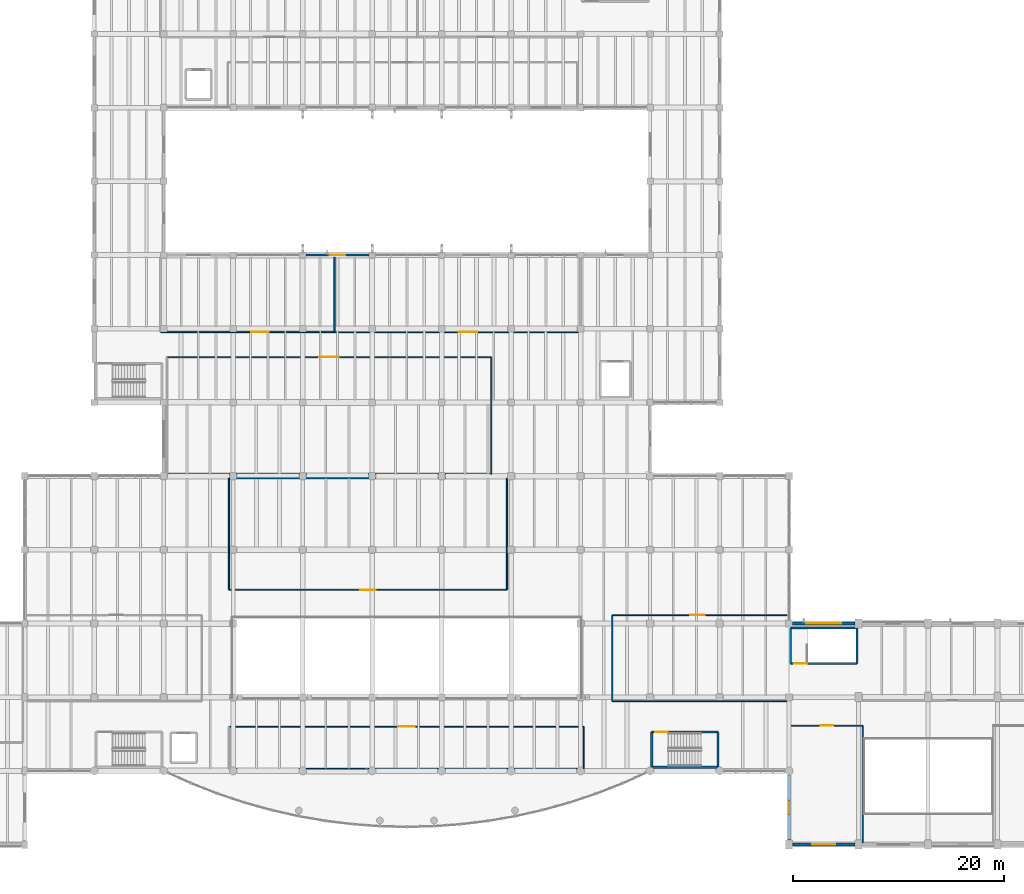
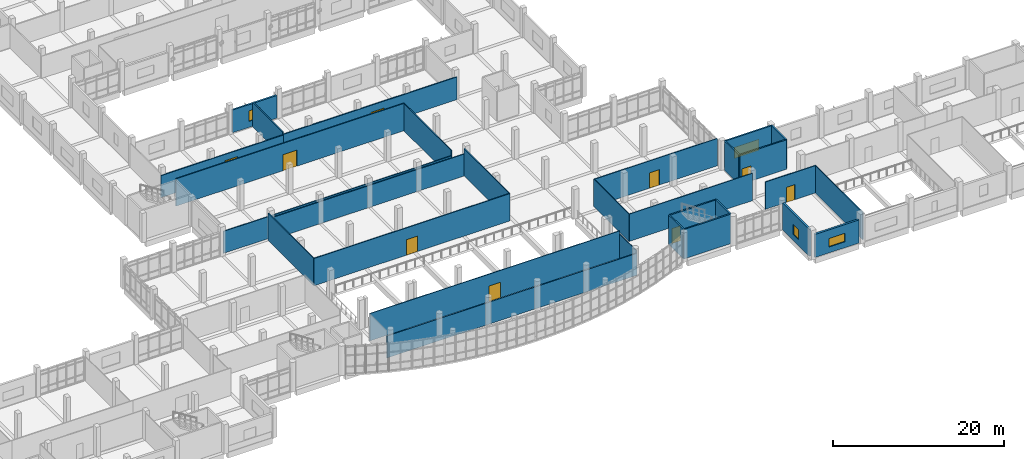
# One storey, part 46 of 68: 30 walls, 9 doors, 4 windows, 13 openings.
"""IFC4 building model written with IfcOpenShell, lengths in metres."""

from ifc_helpers import new_model, si_unit, direction, frame, frame_2d, origin, place, context, subcontext, project, spatial, rectangle, extrude, material, layer, layer_set, type_object, element, fill, save


model = new_model("IFC4")

# Units and contexts
model_context = context("Model", 3, precision=1e-05, world=origin(), true_north=direction((0.0, 1.0)))
body_context = subcontext(model_context, "Body", "Model", "MODEL_VIEW")
ifc_project = project(units=[si_unit("LENGTHUNIT", "METRE"), si_unit("AREAUNIT", "SQUARE_METRE"), si_unit("VOLUMEUNIT", "CUBIC_METRE"), si_unit("PLANEANGLEUNIT", "RADIAN"), si_unit("MASSUNIT", "GRAM", prefix="KILO")], contexts=[model_context])

# Site, building, storey
site_placement = place(None, origin())
site = spatial("IfcSite", under=ifc_project, at=site_placement, CompositionType="ELEMENT")
building_placement = place(site_placement, origin())
building = spatial("IfcBuilding", under=site, at=building_placement, Name="Ciguamira Faculty of Natural Sciences", CompositionType="ELEMENT")
storey_placement = place(building_placement, frame((0.0, 0.0, 4.199951171875)))
storey = spatial("IfcBuildingStorey", under=building, at=storey_placement, Name="L01", CompositionType="ELEMENT", Elevation=4.199951171875)

# Wall, opening, window
ifc_material_1 = material(Name="Precast concrete C40/50", Category="concrete")
ifc_layer_1 = layer(ifc_material_1, 0.280029296875, Name="Precast concrete C40/50")
ifc_layer_set_1 = layer_set([ifc_layer_1], Name="Precast concrete C40/50")
wall_type_1 = type_object("IfcWallType", Name="ExtWall_EW-01_280", PredefinedType="SOLIDWALL", material=ifc_layer_set_1)
wall_1_placement = place(storey_placement, frame((123.625, 3.0, 0.0), z_axis=(0.0, 0.0, 1.0), x_axis=(1.0, 0.0, 0.0)))
wall_1 = element("IfcWall", 1, at=wall_1_placement, inside=storey, type_object=wall_type_1, Name="L01 exterior wall 0142", PredefinedType="SOLIDWALL", context=body_context, shape_type="SweptSolid", body=[
    extrude(rectangle(XDim=5.949951171875, YDim=0.280029296875, at=frame_2d((2.97509765625, 0.0))), origin(), (0.0, 0.0, 1.0), 3.28515625),
])
opening_1_placement = place(wall_1_placement, frame((1.875, 0.0, 0.85009765625)))
opening_1 = element("IfcOpeningElement", 2, at=opening_1_placement, cuts=wall_1, Name="Opening WT-31", PredefinedType="OPENING", context=body_context, shape_type="SweptSolid", body=[
    extrude(rectangle(XDim=2.199951171875, YDim=1.199951171875, at=frame_2d((1.10009765625, 0.60009765625))), frame((0.0, 0.14990234375, 0.0), z_axis=(0.0, -1.0, 0.0), x_axis=(1.0, 0.0, 0.0)), (0.0, 0.0, 1.0), 0.300048828125),
])
ifc_material_2 = material(Name="Hurricane laminated solar glass", Category="glass")
window_type_1 = type_object("IfcWindowType", Name="Window_WT-31_2200x1200", PartitioningType="DOUBLE_PANEL_VERTICAL", PredefinedType="WINDOW", material=ifc_material_2)
window_1_placement = place(opening_1_placement, origin())
window_1 = element("IfcWindow", 3, at=window_1_placement, inside=storey, type_object=window_type_1, Name="L01 facade window 0058", OverallHeight=1.199951171875, OverallWidth=2.199951171875, PartitioningType="SINGLE_PANEL", PredefinedType="WINDOW", context=body_context, shape_type="SweptSolid", body=[
    extrude(rectangle(XDim=2.199951171875, YDim=1.199951171875, at=frame_2d((1.10009765625, 0.60009765625))), frame((0.0, 0.030029296875, 0.0), z_axis=(0.0, -1.0, 0.0), x_axis=(1.0, 0.0, 0.0)), (0.0, 0.0, 1.0), 0.06005859375),
])
fill(opening_1, window_1)

wall_2_placement = place(storey_placement, frame((123.625, 24.0, 0.0), z_axis=(0.0, 0.0, 1.0), x_axis=(1.0, 0.0, 0.0)))
wall_2 = element("IfcWall", 4, at=wall_2_placement, inside=storey, type_object=wall_type_1, Name="L01 exterior wall 0152", PredefinedType="SOLIDWALL", context=body_context, shape_type="SweptSolid", body=[
    extrude(rectangle(XDim=5.949951171875, YDim=0.280029296875, at=frame_2d((2.97509765625, 0.0))), origin(), (0.0, 0.0, 1.0), 3.28515625),
])
opening_2_placement = place(wall_2_placement, frame((1.324951171875, 0.0, 0.85009765625)))
opening_2 = element("IfcOpeningElement", 5, at=opening_2_placement, cuts=wall_2, Name="Opening WT-26", PredefinedType="OPENING", context=body_context, shape_type="SweptSolid", body=[
    extrude(rectangle(XDim=3.300048828125, YDim=1.60009765625, at=frame_2d((1.64990234375, 0.800048828125))), frame((0.0, 0.14990234375, 0.0), z_axis=(0.0, -1.0, 0.0), x_axis=(1.0, 0.0, 0.0)), (0.0, 0.0, 1.0), 0.300048828125),
])
window_type_2 = type_object("IfcWindowType", Name="Window_WT-26_3300x1600", PartitioningType="DOUBLE_PANEL_VERTICAL", PredefinedType="WINDOW", material=ifc_material_2)
window_2_placement = place(opening_2_placement, origin())
window_2 = element("IfcWindow", 6, at=window_2_placement, inside=storey, type_object=window_type_2, Name="L01 facade window 0068", OverallHeight=1.60009765625, OverallWidth=3.300048828125, PartitioningType="SINGLE_PANEL", PredefinedType="WINDOW", context=body_context, shape_type="SweptSolid", body=[
    extrude(rectangle(XDim=3.300048828125, YDim=1.60009765625, at=frame_2d((1.64990234375, 0.800048828125))), frame((0.0, 0.030029296875, 0.0), z_axis=(0.0, -1.0, 0.0), x_axis=(1.0, 0.0, 0.0)), (0.0, 0.0, 1.0), 0.06005859375),
])
fill(opening_2, window_2)

wall_3_placement = place(storey_placement, frame((123.300048828125, 3.425048828125, 0.0), z_axis=(0.0, 0.0, 1.0), x_axis=(0.0, 1.0, 0.0)))
wall_3 = element("IfcWall", 7, at=wall_3_placement, inside=storey, type_object=wall_type_1, Name="L01 exterior wall 0203", PredefinedType="SOLIDWALL", context=body_context, shape_type="SweptSolid", body=[
    extrude(rectangle(XDim=6.199951171875, YDim=0.280029296875, at=frame_2d((3.10009765625, 0.0))), origin(), (0.0, 0.0, 1.0), 3.85009765625),
])
opening_3_placement = place(wall_3_placement, frame((2.449951171875, 0.0, 0.85009765625)))
opening_3 = element("IfcOpeningElement", 8, at=opening_3_placement, cuts=wall_3, Name="Opening WT-28", PredefinedType="OPENING", context=body_context, shape_type="SweptSolid", body=[
    extrude(rectangle(XDim=1.300048828125, YDim=1.449951171875, at=frame_2d((0.64990234375, 0.72509765625))), frame((0.0, 0.14990234375, 0.0), z_axis=(0.0, -1.0, 0.0), x_axis=(1.0, 0.0, 0.0)), (0.0, 0.0, 1.0), 0.300048828125),
])
window_type_3 = type_object("IfcWindowType", Name="Window_WT-28_1300x1450", PartitioningType="DOUBLE_PANEL_VERTICAL", PredefinedType="WINDOW", material=ifc_material_2)
window_3_placement = place(opening_3_placement, origin())
window_3 = element("IfcWindow", 9, at=window_3_placement, inside=storey, type_object=window_type_3, Name="L01 facade window 0118", OverallHeight=1.449951171875, OverallWidth=1.300048828125, PartitioningType="SINGLE_PANEL", PredefinedType="WINDOW", context=body_context, shape_type="SweptSolid", body=[
    extrude(rectangle(XDim=1.300048828125, YDim=1.449951171875, at=frame_2d((0.64990234375, 0.72509765625))), frame((0.0, 0.030029296875, 0.0), z_axis=(0.0, -1.0, 0.0), x_axis=(1.0, 0.0, 0.0)), (0.0, 0.0, 1.0), 0.06005859375),
])
fill(opening_3, window_3)

ifc_layer_2 = layer(ifc_material_1, 0.219970703125, Name="Precast concrete C40/50")
ifc_layer_set_2 = layer_set([ifc_layer_2], Name="Precast concrete C40/50")
wall_type_2 = type_object("IfcWallType", Name="ExtWall_EW-03_220", PredefinedType="SOLIDWALL", material=ifc_layer_set_2)
wall_4_placement = place(storey_placement, frame((77.39990234375, 59.0, 0.0), z_axis=(0.0, 0.0, 1.0), x_axis=(1.0, 0.0, 0.0)))
wall_4 = element("IfcWall", 10, at=wall_4_placement, inside=storey, type_object=wall_type_2, Name="L01 exterior wall 0160", PredefinedType="SOLIDWALL", context=body_context, shape_type="SweptSolid", body=[
    extrude(rectangle(XDim=6.0, YDim=0.219970703125, at=frame_2d((3.0, 0.0))), origin(), (0.0, 0.0, 1.0), 3.235107421875),
])
opening_4_placement = place(wall_4_placement, frame((2.25, 0.0, 0.85009765625)))
opening_4 = element("IfcOpeningElement", 11, at=opening_4_placement, cuts=wall_4, Name="Opening WT-09", PredefinedType="OPENING", context=body_context, shape_type="SweptSolid", body=[
    extrude(rectangle(XDim=1.5, YDim=1.5, at=frame_2d((0.75, 0.75))), frame((0.0, 0.119873046875, 0.0), z_axis=(0.0, -1.0, 0.0), x_axis=(1.0, 0.0, 0.0)), (0.0, 0.0, 1.0), 0.239990234375),
])
window_type_4 = type_object("IfcWindowType", Name="Window_WT-09_1500x1500", PartitioningType="DOUBLE_PANEL_VERTICAL", PredefinedType="WINDOW", material=ifc_material_2)
window_4_placement = place(opening_4_placement, origin())
window_4 = element("IfcWindow", 12, at=window_4_placement, inside=storey, type_object=window_type_4, Name="L01 facade window 0076", OverallHeight=1.5, OverallWidth=1.5, PartitioningType="SINGLE_PANEL", PredefinedType="WINDOW", context=body_context, shape_type="SweptSolid", body=[
    extrude(rectangle(XDim=1.5, YDim=1.5, at=frame_2d((0.75, 0.75))), frame((0.0, 0.030029296875, 0.0), z_axis=(0.0, -1.0, 0.0), x_axis=(1.0, 0.0, 0.0)), (0.0, 0.0, 1.0), 0.06005859375),
])
fill(opening_4, window_4)

# Wall
ifc_material_3 = material(Name="Concrete C40/50", Category="concrete")
ifc_layer_3 = layer(ifc_material_3, 0.199951171875, Name="Concrete C40/50")
ifc_layer_set_3 = layer_set([ifc_layer_3], Name="Concrete C40/50")
wall_type_3 = type_object("IfcWallType", Name="IntWall_CW-S20_200", PredefinedType="SHEAR", material=ifc_layer_set_3)
wall_5_placement = place(storey_placement, frame((110.25, 10.35009765625, 0.0), z_axis=(0.0, 0.0, 1.0), x_axis=(1.0, 0.0, 0.0)))
element("IfcWall", 13, at=wall_5_placement, inside=storey, type_object=wall_type_3, Name="L01 ST-A2 core shear wall south", PredefinedType="SHEAR", context=body_context, shape_type="SweptSolid", body=[
    extrude(rectangle(XDim=6.300048828125, YDim=0.199951171875, at=frame_2d((3.14990234375, 0.0))), origin(), (0.0, 0.0, 1.0), 4.199951171875),
])

# Wall, opening, door
wall_6_placement = place(storey_placement, frame((110.25, 13.7099609375, 0.0), z_axis=(0.0, 0.0, 1.0), x_axis=(1.0, 0.0, 0.0)))
wall_6 = element("IfcWall", 14, at=wall_6_placement, inside=storey, type_object=wall_type_3, Name="L01 ST-A2 core shear wall north", PredefinedType="SHEAR", context=body_context, shape_type="SweptSolid", body=[
    extrude(rectangle(XDim=6.300048828125, YDim=0.199951171875, at=frame_2d((3.14990234375, 0.0))), origin(), (0.0, 0.0, 1.0), 4.199951171875),
])
opening_5_placement = place(wall_6_placement, frame((0.320068359375, 0.0, 0.0)))
opening_5 = element("IfcOpeningElement", 15, at=opening_5_placement, cuts=wall_6, Name="Opening ID-14", PredefinedType="OPENING", context=body_context, shape_type="SweptSolid", body=[
    extrude(rectangle(XDim=1.199951171875, YDim=2.14990234375, at=frame_2d((0.60009765625, 1.074951171875))), frame((0.0, 0.10986328125, 0.0), z_axis=(0.0, -1.0, 0.0), x_axis=(1.0, 0.0, 0.0)), (0.0, 0.0, 1.0), 0.219970703125),
])
ifc_material_4 = material(Name="Protected exit stair fire door")
door_type_1 = type_object("IfcDoorType", Name="IntDoor_ID-14_1200x2150", OperationType="NOTDEFINED", PredefinedType="DOOR", material=ifc_material_4)
door_1_placement = place(opening_5_placement, frame((1.199951171875, 0.0, 0.0), z_axis=(0.0, 0.0, 1.0), x_axis=(-1.0, 0.0, 0.0)))
door_1 = element("IfcDoor", 16, at=door_1_placement, inside=storey, type_object=door_type_1, Name="L01 ST-A2 exit stair fire door", OperationType="SINGLE_SWING_RIGHT", OverallHeight=2.14990234375, OverallWidth=1.199951171875, PredefinedType="DOOR", context=body_context, shape_type="SweptSolid", body=[
    extrude(rectangle(XDim=1.199951171875, YDim=2.14990234375, at=frame_2d((0.60009765625, 1.074951171875))), frame((0.0, 0.02490234375, 0.0), z_axis=(0.0, -1.0, 0.0), x_axis=(1.0, 0.0, 0.0)), (0.0, 0.0, 1.0), 0.050048828125),
])
fill(opening_5, door_1)

# Walls
for number, where, z_axis, x_axis, name in (
    (17, (110.25, 10.35009765625, 0.0), (0.0, 0.0, 1.0), (0.0, 1.0, 0.0), "L01 ST-A2 core shear wall west"),
    (18, (116.550048828125, 10.35009765625, 0.0), (0.0, 0.0, 1.0), (0.0, 1.0, 0.0), "L01 ST-A2 core shear wall east"),
):
    element("IfcWall", number, at=place(storey_placement, frame(where, z_axis=z_axis, x_axis=x_axis)), inside=storey, type_object=wall_type_3, Name=name, PredefinedType="SHEAR", context=body_context, shape_type="SweptSolid", body=[
        extrude(rectangle(XDim=3.35986328125, YDim=0.199951171875, at=frame_2d((1.679931640625, 0.0))), origin(), (0.0, 0.0, 1.0), 4.199951171875),
    ])

# Wall, opening, door
wall_7_placement = place(storey_placement, frame((123.449951171875, 20.199951171875, 0.0), z_axis=(0.0, 0.0, 1.0), x_axis=(1.0, 0.0, 0.0)))
wall_7 = element("IfcWall", 19, at=wall_7_placement, inside=storey, type_object=wall_type_3, Name="L01 ST-L1 core shear wall south", PredefinedType="SHEAR", context=body_context, shape_type="SweptSolid", body=[
    extrude(rectangle(XDim=6.300048828125, YDim=0.199951171875, at=frame_2d((3.14990234375, 0.0))), origin(), (0.0, 0.0, 1.0), 4.199951171875),
])
opening_6_placement = place(wall_7_placement, frame((0.320068359375, 0.0, 0.0)))
opening_6 = element("IfcOpeningElement", 20, at=opening_6_placement, cuts=wall_7, Name="Opening ID-14", PredefinedType="OPENING", context=body_context, shape_type="SweptSolid", body=[
    extrude(rectangle(XDim=1.199951171875, YDim=2.14990234375, at=frame_2d((0.60009765625, 1.074951171875))), frame((0.0, 0.10986328125, 0.0), z_axis=(0.0, -1.0, 0.0), x_axis=(1.0, 0.0, 0.0)), (0.0, 0.0, 1.0), 0.219970703125),
])
door_2_placement = place(opening_6_placement, origin())
door_2 = element("IfcDoor", 21, at=door_2_placement, inside=storey, type_object=door_type_1, Name="L01 ST-L1 exit stair fire door", OperationType="SINGLE_SWING_LEFT", OverallHeight=2.14990234375, OverallWidth=1.199951171875, PredefinedType="DOOR", context=body_context, shape_type="SweptSolid", body=[
    extrude(rectangle(XDim=1.199951171875, YDim=2.14990234375, at=frame_2d((0.60009765625, 1.074951171875))), frame((0.0, 0.02490234375, 0.0), z_axis=(0.0, -1.0, 0.0), x_axis=(1.0, 0.0, 0.0)), (0.0, 0.0, 1.0), 0.050048828125),
])
fill(opening_6, door_2)

# Walls
wall_8_placement = place(storey_placement, frame((123.449951171875, 23.56005859375, 0.0), z_axis=(0.0, 0.0, 1.0), x_axis=(1.0, 0.0, 0.0)))
element("IfcWall", 22, at=wall_8_placement, inside=storey, type_object=wall_type_3, Name="L01 ST-L1 core shear wall north", PredefinedType="SHEAR", context=body_context, shape_type="SweptSolid", body=[
    extrude(rectangle(XDim=6.300048828125, YDim=0.199951171875, at=frame_2d((3.14990234375, 0.0))), origin(), (0.0, 0.0, 1.0), 4.199951171875),
])
for number, where, z_axis, x_axis, name in (
    (23, (123.449951171875, 20.199951171875, 0.0), (0.0, 0.0, 1.0), (0.0, 1.0, 0.0), "L01 ST-L1 core shear wall west"),
    (24, (129.75, 20.199951171875, 0.0), (0.0, 0.0, 1.0), (0.0, 1.0, 0.0), "L01 ST-L1 core shear wall east"),
):
    element("IfcWall", number, at=place(storey_placement, frame(where, z_axis=z_axis, x_axis=x_axis)), inside=storey, type_object=wall_type_3, Name=name, PredefinedType="SHEAR", context=body_context, shape_type="SweptSolid", body=[
        extrude(rectangle(XDim=3.360107421875, YDim=0.199951171875, at=frame_2d((1.68017578125, 0.0))), origin(), (0.0, 0.0, 1.0), 4.199951171875),
    ])
ifc_material_5 = material(Name="Fire-rated gypsum partition")
ifc_layer_4 = layer(ifc_material_5, 0.10009765625, Name="Fire-rated gypsum partition")
ifc_layer_set_4 = layer_set([ifc_layer_4], Name="Fire-rated gypsum partition")
wall_type_4 = type_object("IfcWallType", Name="IntWall_IW-A10_100", PredefinedType="PARTITIONING", material=ifc_layer_set_4)
wall_9_placement = place(storey_placement, frame((106.5, 16.60009765625, 0.0), z_axis=(0.0, 0.0, 1.0), x_axis=(1.0, 0.0, 0.0)))
element("IfcWall", 25, at=wall_9_placement, inside=storey, type_object=wall_type_4, Name="L01 Geological Karst Display Hall partition south", PredefinedType="PARTITIONING", context=body_context, shape_type="SweptSolid", body=[
    extrude(rectangle(XDim=16.60009765625, YDim=0.10009765625, at=frame_2d((8.300048828125, 0.0))), origin(), (0.0, 0.0, 1.0), 3.900146484375),
])

# Wall, opening, door
wall_10_placement = place(storey_placement, frame((106.5, 24.800048828125, 0.0), z_axis=(0.0, 0.0, 1.0), x_axis=(1.0, 0.0, 0.0)))
wall_10 = element("IfcWall", 26, at=wall_10_placement, inside=storey, type_object=wall_type_4, Name="L01 Geological Karst Display Hall partition north", PredefinedType="PARTITIONING", context=body_context, shape_type="SweptSolid", body=[
    extrude(rectangle(XDim=16.60009765625, YDim=0.10009765625, at=frame_2d((8.300048828125, 0.0))), origin(), (0.0, 0.0, 1.0), 3.900146484375),
])
opening_7_placement = place(wall_10_placement, frame((7.425048828125, 0.0, 0.0)))
opening_7 = element("IfcOpeningElement", 27, at=opening_7_placement, cuts=wall_10, Name="Opening ID-07", PredefinedType="OPENING", context=body_context, shape_type="SweptSolid", body=[
    extrude(rectangle(XDim=1.35009765625, YDim=2.199951171875, at=frame_2d((0.675048828125, 1.10009765625))), frame((0.0, 0.06005859375, 0.0), z_axis=(0.0, -1.0, 0.0), x_axis=(1.0, 0.0, 0.0)), (0.0, 0.0, 1.0), 0.1201171875),
])
ifc_material_6 = material(Name="Laboratory prep fire door")
door_type_2 = type_object("IfcDoorType", Name="IntDoor_ID-07_1350x2200", OperationType="NOTDEFINED", PredefinedType="DOOR", material=ifc_material_6)
door_3_placement = place(opening_7_placement, frame((1.35009765625, 0.0, 0.0), z_axis=(0.0, 0.0, 1.0), x_axis=(-1.0, 0.0, 0.0)))
door_3 = element("IfcDoor", 28, at=door_3_placement, inside=storey, type_object=door_type_2, Name="L01 Geological Karst Display Hall door", OperationType="SINGLE_SWING_LEFT", OverallHeight=2.199951171875, OverallWidth=1.35009765625, PredefinedType="DOOR", context=body_context, shape_type="SweptSolid", body=[
    extrude(rectangle(XDim=1.35009765625, YDim=2.199951171875, at=frame_2d((0.675048828125, 1.10009765625))), frame((0.0, 0.02490234375, 0.0), z_axis=(0.0, -1.0, 0.0), x_axis=(1.0, 0.0, 0.0)), (0.0, 0.0, 1.0), 0.050048828125),
])
fill(opening_7, door_3)

# Walls
wall_11_placement = place(storey_placement, frame((106.5, 16.60009765625, 0.0), z_axis=(0.0, 0.0, 1.0), x_axis=(0.0, 1.0, 0.0)))
element("IfcWall", 29, at=wall_11_placement, inside=storey, type_object=wall_type_4, Name="L01 Geological Karst Display Hall partition west", PredefinedType="PARTITIONING", context=body_context, shape_type="SweptSolid", body=[
    extrude(rectangle(XDim=8.199951171875, YDim=0.10009765625, at=frame_2d((4.10009765625, 0.0))), origin(), (0.0, 0.0, 1.0), 3.900146484375),
])
wall_12_placement = place(storey_placement, frame((70.10009765625, 10.199951171875, 0.0), z_axis=(0.0, 0.0, 1.0), x_axis=(1.0, 0.0, 0.0)))
element("IfcWall", 30, at=wall_12_placement, inside=storey, type_object=wall_type_4, Name="L01 L01 South Promenade Study Gallery partition south", PredefinedType="PARTITIONING", context=body_context, shape_type="SweptSolid", body=[
    extrude(rectangle(XDim=33.699951171875, YDim=0.10009765625, at=frame_2d((16.85009765625, 0.0))), origin(), (0.0, 0.0, 1.0), 3.135009765625),
])

# Wall, opening, door
wall_13_placement = place(storey_placement, frame((70.10009765625, 14.199951171875, 0.0), z_axis=(0.0, 0.0, 1.0), x_axis=(1.0, 0.0, 0.0)))
wall_13 = element("IfcWall", 31, at=wall_13_placement, inside=storey, type_object=wall_type_4, Name="L01 L01 South Promenade Study Gallery partition north", PredefinedType="PARTITIONING", context=body_context, shape_type="SweptSolid", body=[
    extrude(rectangle(XDim=33.699951171875, YDim=0.10009765625, at=frame_2d((16.85009765625, 0.0))), origin(), (0.0, 0.0, 1.0), 3.900146484375),
])
opening_8_placement = place(wall_13_placement, frame((16.074951171875, 0.0, 0.0)))
opening_8 = element("IfcOpeningElement", 32, at=opening_8_placement, cuts=wall_13, Name="Opening ID-09", PredefinedType="OPENING", context=body_context, shape_type="SweptSolid", body=[
    extrude(rectangle(XDim=1.550048828125, YDim=2.199951171875, at=frame_2d((0.77490234375, 1.10009765625))), frame((0.0, 0.06005859375, 0.0), z_axis=(0.0, -1.0, 0.0), x_axis=(1.0, 0.0, 0.0)), (0.0, 0.0, 1.0), 0.1201171875),
])
ifc_material_7 = material(Name="Teaching laboratory double door")
door_type_3 = type_object("IfcDoorType", Name="IntDoor_ID-09_1550x2200", OperationType="NOTDEFINED", PredefinedType="DOOR", material=ifc_material_7)
door_4_placement = place(opening_8_placement, frame((1.550048828125, 0.0, 0.0), z_axis=(0.0, 0.0, 1.0), x_axis=(-1.0, 0.0, 0.0)))
door_4 = element("IfcDoor", 33, at=door_4_placement, inside=storey, type_object=door_type_3, Name="L01 L01 South Promenade Study Gallery door", OperationType="SINGLE_SWING_LEFT", OverallHeight=2.199951171875, OverallWidth=1.550048828125, PredefinedType="DOOR", context=body_context, shape_type="SweptSolid", body=[
    extrude(rectangle(XDim=1.550048828125, YDim=2.199951171875, at=frame_2d((0.77490234375, 1.10009765625))), frame((0.0, 0.02490234375, 0.0), z_axis=(0.0, -1.0, 0.0), x_axis=(1.0, 0.0, 0.0)), (0.0, 0.0, 1.0), 0.050048828125),
])
fill(opening_8, door_4)

# Wall
wall_14_placement = place(storey_placement, frame((103.800048828125, 10.199951171875, 0.0), z_axis=(0.0, 0.0, 1.0), x_axis=(0.0, 1.0, 0.0)))
element("IfcWall", 34, at=wall_14_placement, inside=storey, type_object=wall_type_4, Name="L01 L01 South Promenade Study Gallery partition east", PredefinedType="PARTITIONING", context=body_context, shape_type="SweptSolid", body=[
    extrude(rectangle(XDim=4.0, YDim=0.10009765625, at=frame_2d((2.0, 0.0))), origin(), (0.0, 0.0, 1.0), 3.505126953125),
])

# Wall, opening, door
ifc_material_8 = material(Name="Acoustic double-stud gypsum partition")
ifc_layer_5 = layer(ifc_material_8, 0.1201171875, Name="Acoustic double-stud gypsum partition")
ifc_layer_set_5 = layer_set([ifc_layer_5], Name="Acoustic double-stud gypsum partition")
wall_type_5 = type_object("IfcWallType", Name="IntWall_IW-A12_120", PredefinedType="PARTITIONING", material=ifc_layer_set_5)
wall_15_placement = place(storey_placement, frame((123.5, 14.300048828125, 0.0), z_axis=(0.0, 0.0, 1.0), x_axis=(1.0, 0.0, 0.0)))
wall_15 = element("IfcWall", 35, at=wall_15_placement, inside=storey, type_object=wall_type_5, Name="L01 West Auditorium Seminar Room partition north", PredefinedType="PARTITIONING", context=body_context, shape_type="SweptSolid", body=[
    extrude(rectangle(XDim=6.800048828125, YDim=0.1201171875, at=frame_2d((3.39990234375, 0.0))), origin(), (0.0, 0.0, 1.0), 3.900146484375),
])
opening_9_placement = place(wall_15_placement, frame((2.824951171875, 0.0, 0.0)))
opening_9 = element("IfcOpeningElement", 36, at=opening_9_placement, cuts=wall_15, Name="Opening ID-05", PredefinedType="OPENING", context=body_context, shape_type="SweptSolid", body=[
    extrude(rectangle(XDim=1.14990234375, YDim=2.14990234375, at=frame_2d((0.574951171875, 1.074951171875))), frame((0.0, 0.070068359375, 0.0), z_axis=(0.0, -1.0, 0.0), x_axis=(1.0, 0.0, 0.0)), (0.0, 0.0, 1.0), 0.14013671875),
])
ifc_material_9 = material(Name="Research office wide door")
door_type_4 = type_object("IfcDoorType", Name="IntDoor_ID-05_1150x2150", OperationType="NOTDEFINED", PredefinedType="DOOR", material=ifc_material_9)
door_5_placement = place(opening_9_placement, frame((1.14990234375, 0.0, 0.0), z_axis=(0.0, 0.0, 1.0), x_axis=(-1.0, 0.0, 0.0)))
door_5 = element("IfcDoor", 37, at=door_5_placement, inside=storey, type_object=door_type_4, Name="L01 West Auditorium Seminar Room door", OperationType="SINGLE_SWING_LEFT", OverallHeight=2.14990234375, OverallWidth=1.14990234375, PredefinedType="DOOR", context=body_context, shape_type="SweptSolid", body=[
    extrude(rectangle(XDim=1.14990234375, YDim=2.14990234375, at=frame_2d((0.574951171875, 1.074951171875))), frame((0.0, 0.02490234375, 0.0), z_axis=(0.0, -1.0, 0.0), x_axis=(1.0, 0.0, 0.0)), (0.0, 0.0, 1.0), 0.050048828125),
])
fill(opening_9, door_5)

# Wall
wall_16_placement = place(storey_placement, frame((130.300048828125, 3.199951171875, 0.0), z_axis=(0.0, 0.0, 1.0), x_axis=(0.0, 1.0, 0.0)))
element("IfcWall", 38, at=wall_16_placement, inside=storey, type_object=wall_type_5, Name="L01 West Auditorium Seminar Room partition east", PredefinedType="PARTITIONING", context=body_context, shape_type="SweptSolid", body=[
    extrude(rectangle(XDim=11.10009765625, YDim=0.1201171875, at=frame_2d((5.550048828125, 0.0))), origin(), (0.0, 0.0, 1.0), 3.900146484375),
])

# Wall, opening, door
wall_17_placement = place(storey_placement, frame((70.10009765625, 27.199951171875, 0.0), z_axis=(0.0, 0.0, 1.0), x_axis=(1.0, 0.0, 0.0)))
wall_17 = element("IfcWall", 39, at=wall_17_placement, inside=storey, type_object=wall_type_5, Name="L01 Undergraduate Seminar Room A partition south", PredefinedType="PARTITIONING", context=body_context, shape_type="SweptSolid", body=[
    extrude(rectangle(XDim=26.39990234375, YDim=0.1201171875, at=frame_2d((13.199951171875, 0.0))), origin(), (0.0, 0.0, 1.0), 3.900146484375),
])
opening_10_placement = place(wall_17_placement, frame((12.47509765625, 0.0, 0.0)))
opening_10 = element("IfcOpeningElement", 40, at=opening_10_placement, cuts=wall_17, Name="Opening ID-08", PredefinedType="OPENING", context=body_context, shape_type="SweptSolid", body=[
    extrude(rectangle(XDim=1.449951171875, YDim=2.199951171875, at=frame_2d((0.72509765625, 1.10009765625))), frame((0.0, 0.070068359375, 0.0), z_axis=(0.0, -1.0, 0.0), x_axis=(1.0, 0.0, 0.0)), (0.0, 0.0, 1.0), 0.14013671875),
])
ifc_material_10 = material(Name="Wet chemistry laboratory door")
door_type_5 = type_object("IfcDoorType", Name="IntDoor_ID-08_1450x2200", OperationType="NOTDEFINED", PredefinedType="DOOR", material=ifc_material_10)
door_6_placement = place(opening_10_placement, origin())
door_6 = element("IfcDoor", 41, at=door_6_placement, inside=storey, type_object=door_type_5, Name="L01 Undergraduate Seminar Room A door", OperationType="SINGLE_SWING_RIGHT", OverallHeight=2.199951171875, OverallWidth=1.449951171875, PredefinedType="DOOR", context=body_context, shape_type="SweptSolid", body=[
    extrude(rectangle(XDim=1.449951171875, YDim=2.199951171875, at=frame_2d((0.72509765625, 1.10009765625))), frame((0.0, 0.02490234375, 0.0), z_axis=(0.0, -1.0, 0.0), x_axis=(1.0, 0.0, 0.0)), (0.0, 0.0, 1.0), 0.050048828125),
])
fill(opening_10, door_6)

# Walls
wall_18_placement = place(storey_placement, frame((70.10009765625, 37.800048828125, 0.0), z_axis=(0.0, 0.0, 1.0), x_axis=(1.0, 0.0, 0.0)))
element("IfcWall", 42, at=wall_18_placement, inside=storey, type_object=wall_type_5, Name="L01 Undergraduate Seminar Room A partition north", PredefinedType="PARTITIONING", context=body_context, shape_type="SweptSolid", body=[
    extrude(rectangle(XDim=26.39990234375, YDim=0.1201171875, at=frame_2d((13.199951171875, 0.0))), origin(), (0.0, 0.0, 1.0), 3.135009765625),
])
for number, where, z_axis, x_axis, name in (
    (43, (70.10009765625, 27.199951171875, 0.0), (0.0, 0.0, 1.0), (0.0, 1.0, 0.0), "L01 Undergraduate Seminar Room A partition west"),
    (44, (96.5, 27.199951171875, 0.0), (0.0, 0.0, 1.0), (0.0, 1.0, 0.0), "L01 Undergraduate Seminar Room A partition east"),
):
    element("IfcWall", number, at=place(storey_placement, frame(where, z_axis=z_axis, x_axis=x_axis)), inside=storey, type_object=wall_type_5, Name=name, PredefinedType="PARTITIONING", context=body_context, shape_type="SweptSolid", body=[
        extrude(rectangle(XDim=10.60009765625, YDim=0.1201171875, at=frame_2d((5.300048828125, 0.0))), origin(), (0.0, 0.0, 1.0), 3.900146484375),
    ])
wall_19_placement = place(storey_placement, frame((64.199951171875, 38.199951171875, 0.0), z_axis=(0.0, 0.0, 1.0), x_axis=(1.0, 0.0, 0.0)))
element("IfcWall", 45, at=wall_19_placement, inside=storey, type_object=wall_type_5, Name="L01 L01 South Lab Seminar Room partition south", PredefinedType="PARTITIONING", context=body_context, shape_type="SweptSolid", body=[
    extrude(rectangle(XDim=30.800048828125, YDim=0.1201171875, at=frame_2d((15.39990234375, 0.0))), origin(), (0.0, 0.0, 1.0), 3.135009765625),
])

# Wall, opening, door
wall_20_placement = place(storey_placement, frame((64.199951171875, 49.300048828125, 0.0), z_axis=(0.0, 0.0, 1.0), x_axis=(1.0, 0.0, 0.0)))
wall_20 = element("IfcWall", 46, at=wall_20_placement, inside=storey, type_object=wall_type_5, Name="L01 L01 South Lab Seminar Room partition north", PredefinedType="PARTITIONING", context=body_context, shape_type="SweptSolid", body=[
    extrude(rectangle(XDim=30.800048828125, YDim=0.1201171875, at=frame_2d((15.39990234375, 0.0))), origin(), (0.0, 0.0, 1.0), 3.900146484375),
])
opening_11_placement = place(wall_20_placement, frame((14.47509765625, 0.0, 0.0)))
opening_11 = element("IfcOpeningElement", 47, at=opening_11_placement, cuts=wall_20, Name="Opening ID-12", PredefinedType="OPENING", context=body_context, shape_type="SweptSolid", body=[
    extrude(rectangle(XDim=1.85009765625, YDim=2.300048828125, at=frame_2d((0.925048828125, 1.14990234375))), frame((0.0, 0.070068359375, 0.0), z_axis=(0.0, -1.0, 0.0), x_axis=(1.0, 0.0, 0.0)), (0.0, 0.0, 1.0), 0.14013671875),
])
ifc_material_11 = material(Name="Lecture auditorium acoustic double door")
door_type_6 = type_object("IfcDoorType", Name="IntDoor_ID-12_1850x2300", OperationType="NOTDEFINED", PredefinedType="DOOR", material=ifc_material_11)
door_7_placement = place(opening_11_placement, frame((1.85009765625, 0.0, 0.0), z_axis=(0.0, 0.0, 1.0), x_axis=(-1.0, 0.0, 0.0)))
door_7 = element("IfcDoor", 48, at=door_7_placement, inside=storey, type_object=door_type_6, Name="L01 L01 South Lab Seminar Room door", OperationType="SINGLE_SWING_RIGHT", OverallHeight=2.300048828125, OverallWidth=1.85009765625, PredefinedType="DOOR", context=body_context, shape_type="SweptSolid", body=[
    extrude(rectangle(XDim=1.85009765625, YDim=2.300048828125, at=frame_2d((0.925048828125, 1.14990234375))), frame((0.0, 0.02490234375, 0.0), z_axis=(0.0, -1.0, 0.0), x_axis=(1.0, 0.0, 0.0)), (0.0, 0.0, 1.0), 0.050048828125),
])
fill(opening_11, door_7)

# Wall
wall_21_placement = place(storey_placement, frame((95.0, 38.199951171875, 0.0), z_axis=(0.0, 0.0, 1.0), x_axis=(0.0, 1.0, 0.0)))
element("IfcWall", 49, at=wall_21_placement, inside=storey, type_object=wall_type_5, Name="L01 L01 South Lab Seminar Room partition east", PredefinedType="PARTITIONING", context=body_context, shape_type="SweptSolid", body=[
    extrude(rectangle(XDim=11.10009765625, YDim=0.1201171875, at=frame_2d((5.550048828125, 0.0))), origin(), (0.0, 0.0, 1.0), 3.900146484375),
])

# Wall, opening, door
ifc_material_12 = material(Name="Acoustic laboratory corridor partition")
ifc_layer_6 = layer(ifc_material_12, 0.14990234375, Name="Acoustic laboratory corridor partition")
ifc_layer_set_6 = layer_set([ifc_layer_6], Name="Acoustic laboratory corridor partition")
wall_type_6 = type_object("IfcWallType", Name="IntWall_IW-G15_150", PredefinedType="PARTITIONING", material=ifc_layer_set_6)
wall_22_placement = place(storey_placement, frame((80.10009765625, 51.699951171875, 0.0), z_axis=(0.0, 0.0, 1.0), x_axis=(1.0, 0.0, 0.0)))
wall_22 = element("IfcWall", 50, at=wall_22_placement, inside=storey, type_object=wall_type_6, Name="L01 Microbiology Teaching Laboratory partition south", PredefinedType="PARTITIONING", context=body_context, shape_type="SweptSolid", body=[
    extrude(rectangle(XDim=23.39990234375, YDim=0.14990234375, at=frame_2d((11.699951171875, 0.0))), origin(), (0.0, 0.0, 1.0), 3.235107421875),
])
opening_12_placement = place(wall_22_placement, frame((11.824951171875, 0.0, 0.0)))
opening_12 = element("IfcOpeningElement", 51, at=opening_12_placement, cuts=wall_22, Name="Opening ID-11", PredefinedType="OPENING", context=body_context, shape_type="SweptSolid", body=[
    extrude(rectangle(XDim=1.75, YDim=2.25, at=frame_2d((0.875, 1.125))), frame((0.0, 0.0849609375, 0.0), z_axis=(0.0, -1.0, 0.0), x_axis=(1.0, 0.0, 0.0)), (0.0, 0.0, 1.0), 0.169921875),
])
ifc_material_13 = material(Name="Exhibition gallery double door")
door_type_7 = type_object("IfcDoorType", Name="IntDoor_ID-11_1750x2250", OperationType="NOTDEFINED", PredefinedType="DOOR", material=ifc_material_13)
door_8_placement = place(opening_12_placement, origin())
door_8 = element("IfcDoor", 52, at=door_8_placement, inside=storey, type_object=door_type_7, Name="L01 Microbiology Teaching Laboratory door", OperationType="SINGLE_SWING_LEFT", OverallHeight=2.25, OverallWidth=1.75, PredefinedType="DOOR", context=body_context, shape_type="SweptSolid", body=[
    extrude(rectangle(XDim=1.75, YDim=2.25, at=frame_2d((0.875, 1.125))), frame((0.0, 0.02490234375, 0.0), z_axis=(0.0, -1.0, 0.0), x_axis=(1.0, 0.0, 0.0)), (0.0, 0.0, 1.0), 0.050048828125),
])
fill(opening_12, door_8)

ifc_material_14 = material(Name="Moisture-resistant service chase wall")
ifc_layer_7 = layer(ifc_material_14, 0.139892578125, Name="Moisture-resistant service chase wall")
ifc_layer_set_7 = layer_set([ifc_layer_7], Name="Moisture-resistant service chase wall")
wall_type_7 = type_object("IfcWallType", Name="IntWall_IW-P14_140", PredefinedType="PLUMBINGWALL", material=ifc_layer_set_7)
wall_23_placement = place(storey_placement, frame((63.60009765625, 51.699951171875, 0.0), z_axis=(0.0, 0.0, 1.0), x_axis=(1.0, 0.0, 0.0)))
wall_23 = element("IfcWall", 53, at=wall_23_placement, inside=storey, type_object=wall_type_7, Name="L01 Organic Chemistry Wet Laboratory partition south", PredefinedType="PLUMBINGWALL", context=body_context, shape_type="SweptSolid", body=[
    extrude(rectangle(XDim=16.5, YDim=0.139892578125, at=frame_2d((8.25, 0.0))), origin(), (0.0, 0.0, 1.0), 3.135009765625),
])
opening_13_placement = place(wall_23_placement, frame((8.625, 0.0, 0.0)))
opening_13 = element("IfcOpeningElement", 54, at=opening_13_placement, cuts=wall_23, Name="Opening ID-10", PredefinedType="OPENING", context=body_context, shape_type="SweptSolid", body=[
    extrude(rectangle(XDim=1.64990234375, YDim=2.25, at=frame_2d((0.824951171875, 1.125))), frame((0.0, 0.079833984375, 0.0), z_axis=(0.0, -1.0, 0.0), x_axis=(1.0, 0.0, 0.0)), (0.0, 0.0, 1.0), 0.159912109375),
])
ifc_material_15 = material(Name="Reading hall double acoustic door")
door_type_8 = type_object("IfcDoorType", Name="IntDoor_ID-10_1650x2250", OperationType="NOTDEFINED", PredefinedType="DOOR", material=ifc_material_15)
door_9_placement = place(opening_13_placement, origin())
door_9 = element("IfcDoor", 55, at=door_9_placement, inside=storey, type_object=door_type_8, Name="L01 Organic Chemistry Wet Laboratory door", OperationType="SINGLE_SWING_RIGHT", OverallHeight=2.25, OverallWidth=1.64990234375, PredefinedType="DOOR", context=body_context, shape_type="SweptSolid", body=[
    extrude(rectangle(XDim=1.64990234375, YDim=2.25, at=frame_2d((0.824951171875, 1.125))), frame((0.0, 0.02490234375, 0.0), z_axis=(0.0, -1.0, 0.0), x_axis=(1.0, 0.0, 0.0)), (0.0, 0.0, 1.0), 0.050048828125),
])
fill(opening_13, door_9)

# Wall
wall_24_placement = place(storey_placement, frame((80.10009765625, 51.699951171875, 0.0), z_axis=(0.0, 0.0, 1.0), x_axis=(0.0, 1.0, 0.0)))
element("IfcWall", 56, at=wall_24_placement, inside=storey, type_object=wall_type_7, Name="L01 Organic Chemistry Wet Laboratory partition east", PredefinedType="PLUMBINGWALL", context=body_context, shape_type="SweptSolid", body=[
    extrude(rectangle(XDim=7.10009765625, YDim=0.139892578125, at=frame_2d((3.550048828125, 0.0))), origin(), (0.0, 0.0, 1.0), 3.53173828125),
])

save(model, "model.ifc")
